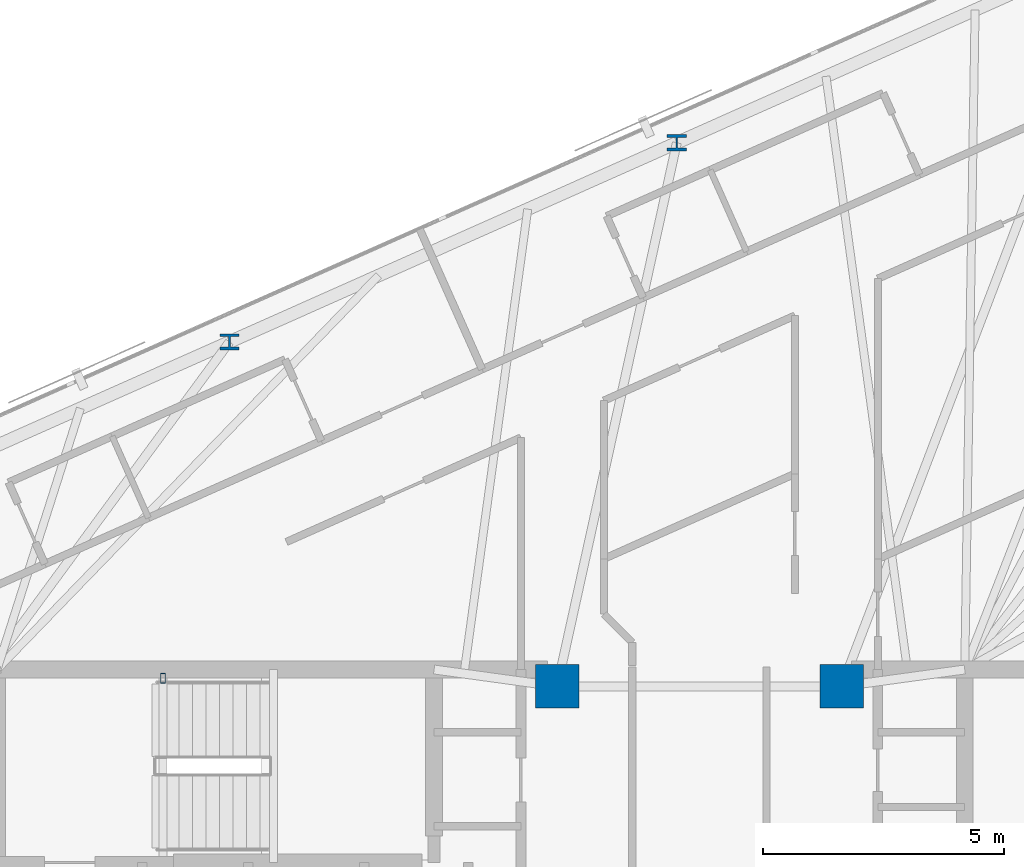
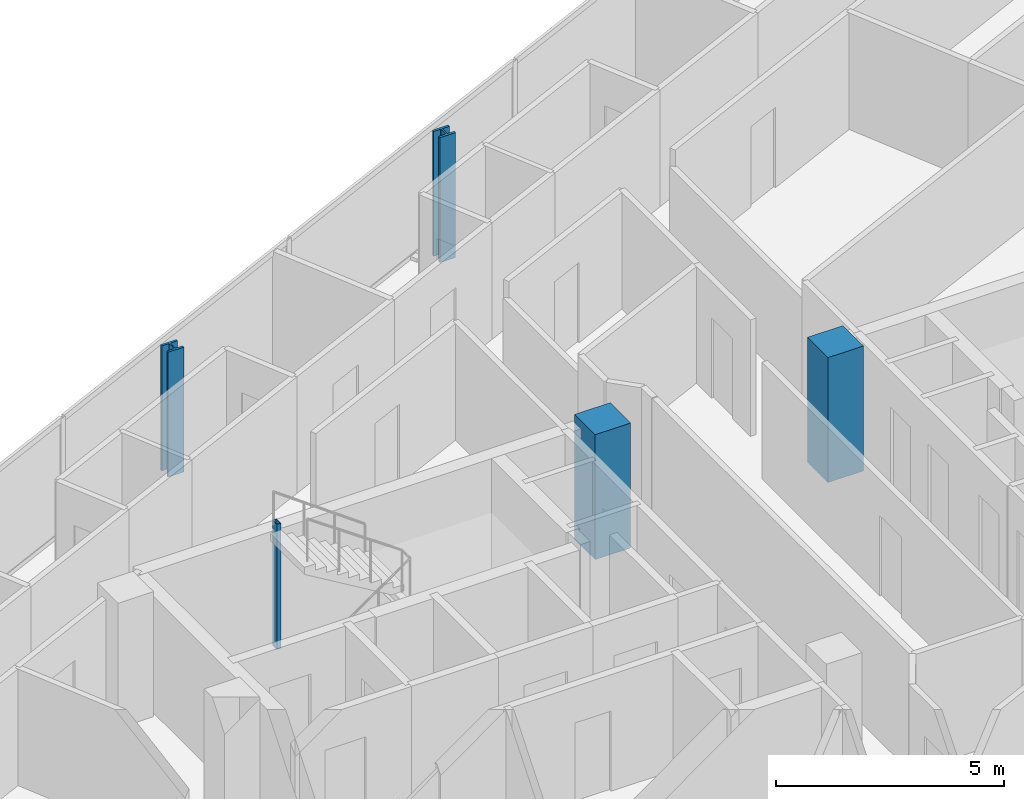
# One storey, part 2 of 19: 5 columns.
"""IFC4 building model written with IfcOpenShell, lengths in metres."""

from ifc_helpers import new_model, si_unit, direction, frame, origin, origin_2d, place, context, subcontext, project, spatial, rectangle, hollow_rectangle, i_section, extrude, material, material_profile, profile_set, type_object, element, save


model = new_model("IFC4")

# Units and contexts
model_context = context("Model", 3, precision=1e-05, world=origin(), true_north=direction((0.0, 1.0)))
body_context = subcontext(model_context, "Body", "Model", "MODEL_VIEW")
ifc_project = project(units=[si_unit("LENGTHUNIT", "METRE"), si_unit("AREAUNIT", "SQUARE_METRE"), si_unit("VOLUMEUNIT", "CUBIC_METRE"), si_unit("PLANEANGLEUNIT", "RADIAN"), si_unit("MASSUNIT", "GRAM", prefix="KILO")], contexts=[model_context])

# Site, building, storey
site_placement = place(None, origin())
site = spatial("IfcSite", under=ifc_project, at=site_placement, CompositionType="ELEMENT")
building_placement = place(site_placement, origin())
building = spatial("IfcBuilding", under=site, at=building_placement, Name="Menara Jurai Vektor", CompositionType="ELEMENT")
storey_placement = place(building_placement, frame((0.0, 0.0, 265.550048828125)))
storey = spatial("IfcBuildingStorey", under=building, at=storey_placement, Name="L71", CompositionType="ELEMENT", Elevation=265.550048828125)

# Columns
ifc_material_1 = material(Name="Concrete C50/60", Category="concrete")
ifc_material_profile_1 = material_profile(ifc_material_1, rectangle(XDim=0.89990234375, YDim=0.89990234375, at=origin_2d()), Name="RC 900x900")
ifc_profile_set_1 = profile_set([ifc_material_profile_1], Name="Concrete C50/60")
column_type_1 = type_object("IfcColumnType", Name="STR-COL-RC900", PredefinedType="COLUMN", material=ifc_profile_set_1)
for number, where, z_axis, x_axis, name in (
    (1, (-2.949951171875, 5.25, 0.0), (0.0, 0.0, 1.0), (1.0, 0.0, 0.0), "Core Spine Column CW-NE L71"),
    (2, (2.949951171875, 5.25, 0.0), (0.0, 0.0, 1.0), (1.0, 0.0, 0.0), "Core Spine Column CE-NW L71"),
):
    element("IfcColumn", number, at=place(storey_placement, frame(where, z_axis=z_axis, x_axis=x_axis)), inside=storey, type_object=column_type_1, Name=name, PredefinedType="COLUMN", context=body_context, shape_type="SweptSolid", body=[
        extrude(rectangle(XDim=0.89990234375, YDim=0.89990234375, at=origin_2d()), origin(), (0.0, 0.0, 1.0), 3.349853515625),
    ])
ifc_material_2 = material(Name="Steel S355", Category="steel")
ifc_material_profile_2 = material_profile(ifc_material_2, hollow_rectangle(XDim=0.10009765625, YDim=0.199951171875, WallThickness=0.008056640625, at=origin_2d()), Name="RHS 200x100x8")
ifc_profile_set_2 = profile_set([ifc_material_profile_2], Name="Steel S355")
column_type_2 = type_object("IfcColumnType", Name="STR-COL-STAIR", PredefinedType="COLUMN", material=ifc_profile_set_2)
column_placement = place(storey_placement, frame((-11.1201171875, 5.419921875, 0.0), z_axis=(0.0, 0.0, 1.0), x_axis=(1.0, 0.0, 0.0)))
element("IfcColumn", 3, at=column_placement, inside=storey, type_object=column_type_2, Name="Stair Well Header Column ST1-P2 L71", PredefinedType="COLUMN", context=body_context, shape_type="SweptSolid", body=[
    extrude(hollow_rectangle(XDim=0.10009765625, YDim=0.199951171875, WallThickness=0.008056640625, at=origin_2d()), origin(), (0.0, 0.0, 1.0), 3.349853515625),
])
ifc_material_3 = material(Name="Steel S460", Category="steel")
ifc_material_profile_3 = material_profile(ifc_material_3, i_section(OverallWidth=0.40087890625, OverallDepth=0.3349609375, WebThickness=0.035888671875, FlangeThickness=0.05810546875, FilletRadius=0.014892578125, at=origin_2d()), Name="HD 400x463")
ifc_profile_set_3 = profile_set([ifc_material_profile_3], Name="Steel S460")
column_type_3 = type_object("IfcColumnType", Name="STR-EXO-BLK5", PredefinedType="COLUMN", material=ifc_profile_set_3)
for number, where, z_axis, x_axis, name in (
    (4, (-0.467529296875, 16.519287109375, 0.0), (0.0, 0.0, 1.0), (1.0, 0.0, 0.0), "Exoskeleton Column BLK5-N3 L71"),
    (5, (-9.740966796875, 12.390380859375, 0.0), (0.0, 0.0, 1.0), (1.0, 0.0, 0.0), "Exoskeleton Column BLK5-N4 L71"),
):
    element("IfcColumn", number, at=place(storey_placement, frame(where, z_axis=z_axis, x_axis=x_axis)), inside=storey, type_object=column_type_3, Name=name, PredefinedType="COLUMN", context=body_context, shape_type="SweptSolid", body=[
        extrude(i_section(OverallWidth=0.40087890625, OverallDepth=0.3349609375, WebThickness=0.035888671875, FlangeThickness=0.05810546875, FilletRadius=0.014892578125, at=origin_2d()), origin(), (0.0, 0.0, 1.0), 3.349853515625),
    ])

save(model, "model.ifc")
